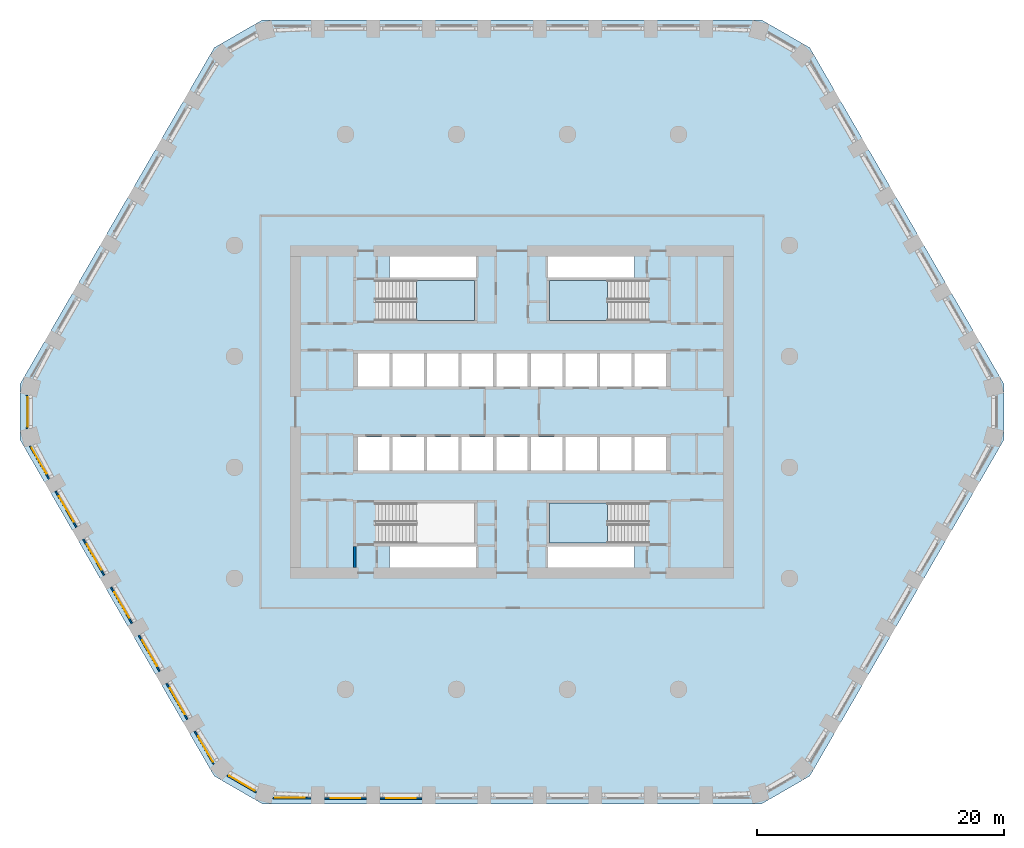
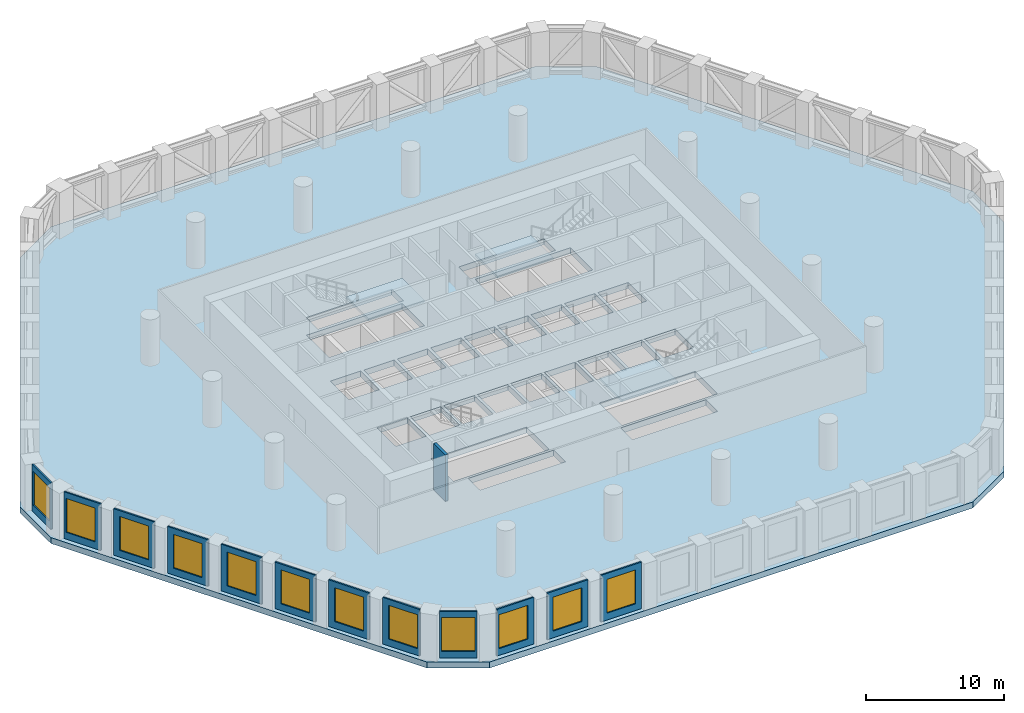
# One storey, part 3 of 18: 13 walls, 12 windows, 4 slabs, 12 openings, 3 elements without a shape of their own.
"""IFC4 building model written with IfcOpenShell, lengths in metres."""

from ifc_helpers import new_model, si_unit, direction, frame, frame_2d, origin, place, context, subcontext, project, spatial, polyline, rectangle, outline, extrude, material, layer, layer_set, type_object, element, fill, aggregate, save


model = new_model("IFC4")

# Units and contexts
model_context = context("Model", 3, precision=1e-05, world=origin(), true_north=direction((0.0, 1.0)))
body_context = subcontext(model_context, "Body", "Model", "MODEL_VIEW")
ifc_project = project(units=[si_unit("LENGTHUNIT", "METRE"), si_unit("AREAUNIT", "SQUARE_METRE"), si_unit("VOLUMEUNIT", "CUBIC_METRE"), si_unit("PLANEANGLEUNIT", "RADIAN"), si_unit("MASSUNIT", "GRAM", prefix="KILO")], contexts=[model_context])

# Site, building, storey
site_placement = place(None, origin())
site = spatial("IfcSite", under=ifc_project, at=site_placement, CompositionType="ELEMENT")
building_placement = place(site_placement, origin())
building = spatial("IfcBuilding", under=site, at=building_placement, Name="Dhurran Vertical Campus", CompositionType="ELEMENT")
storey_placement = place(building_placement, frame((0.0, 0.0, 76.800048828125)))
storey = spatial("IfcBuildingStorey", under=building, at=storey_placement, Name="L18 Plant", CompositionType="ELEMENT", Elevation=76.800048828125)

# Slab
ifc_material_1 = material(Name="Concrete C40/50", Category="concrete")
ifc_layer_1 = layer(ifc_material_1, 0.52490234375)
ifc_layer_set_1 = layer_set([ifc_layer_1], Name="Concrete C40/50")
slab_type_1 = type_object("IfcSlabType", Name="FR POST-TENSIONED FLAT SLAB 525", PredefinedType="FLOOR", material=ifc_layer_set_1)
slab_1_placement = place(storey_placement, frame((0.0, 0.0, -0.525146484375)))
element("IfcSlab", 1, at=slab_1_placement, inside=storey, type_object=slab_type_1, Name="Floor slab L18", PredefinedType="FLOOR", context=body_context, shape_type="SweptSolid", body=[
    extrude(outline(polyline([(-20.25, -31.77978515625), (20.25, -31.77978515625), (24.147216796875, -29.52978515625), (39.897216796875, -2.25), (39.897216796875, 2.25), (24.147216796875, 29.52978515625), (20.25, 31.77978515625), (-20.25, 31.77978515625), (-24.147216796875, 29.52978515625), (-39.897216796875, 2.25), (-39.897216796875, -2.25), (-24.147216796875, -29.52978515625), (-20.25, -31.77978515625)]), holes=[polyline([(-12.47509765625, 2.050048828125), (-9.925048828125, 2.050048828125), (-9.925048828125, 4.75), (-12.47509765625, 4.75), (-12.47509765625, 2.050048828125)]), polyline([(-9.675048828125, 2.050048828125), (-7.125, 2.050048828125), (-7.125, 4.75), (-9.675048828125, 4.75), (-9.675048828125, 2.050048828125)]), polyline([(-6.875, 2.050048828125), (-4.324951171875, 2.050048828125), (-4.324951171875, 4.75), (-6.875, 4.75), (-6.875, 2.050048828125)]), polyline([(-1.27490234375, 2.050048828125), (1.27490234375, 2.050048828125), (1.27490234375, 4.75), (-1.27490234375, 4.75), (-1.27490234375, 2.050048828125)]), polyline([(9.925048828125, 2.050048828125), (12.47509765625, 2.050048828125), (12.47509765625, 4.75), (9.925048828125, 4.75), (9.925048828125, 2.050048828125)]), polyline([(-1.27490234375, -4.75), (1.27490234375, -4.75), (1.27490234375, -2.050048828125), (-1.27490234375, -2.050048828125), (-1.27490234375, -4.75)]), polyline([(1.52490234375, -4.75), (4.074951171875, -4.75), (4.074951171875, -2.050048828125), (1.52490234375, -2.050048828125), (1.52490234375, -4.75)]), polyline([(4.324951171875, -4.75), (6.875, -4.75), (6.875, -2.050048828125), (4.324951171875, -2.050048828125), (4.324951171875, -4.75)]), polyline([(7.125, -4.75), (9.675048828125, -4.75), (9.675048828125, -2.050048828125), (7.125, -2.050048828125), (7.125, -4.75)]), polyline([(9.925048828125, -4.75), (12.47509765625, -4.75), (12.47509765625, -2.050048828125), (9.925048828125, -2.050048828125), (9.925048828125, -4.75)]), polyline([(-4.074951171875, 2.050048828125), (-1.52490234375, 2.050048828125), (-1.52490234375, 4.75), (-4.074951171875, 4.75), (-4.074951171875, 2.050048828125)]), polyline([(1.52490234375, 2.050048828125), (4.074951171875, 2.050048828125), (4.074951171875, 4.75), (1.52490234375, 4.75), (1.52490234375, 2.050048828125)]), polyline([(4.324951171875, 2.050048828125), (6.875, 2.050048828125), (6.875, 4.75), (4.324951171875, 4.75), (4.324951171875, 2.050048828125)]), polyline([(7.125, 2.050048828125), (9.675048828125, 2.050048828125), (9.675048828125, 4.75), (7.125, 4.75), (7.125, 2.050048828125)]), polyline([(-12.47509765625, -4.75), (-9.925048828125, -4.75), (-9.925048828125, -2.050048828125), (-12.47509765625, -2.050048828125), (-12.47509765625, -4.75)]), polyline([(-9.675048828125, -4.75), (-7.125, -4.75), (-7.125, -2.050048828125), (-9.675048828125, -2.050048828125), (-9.675048828125, -4.75)]), polyline([(-6.875, -4.75), (-4.324951171875, -4.75), (-4.324951171875, -2.050048828125), (-6.875, -2.050048828125), (-6.875, -4.75)]), polyline([(-4.074951171875, -4.75), (-1.52490234375, -4.75), (-1.52490234375, -2.050048828125), (-4.074951171875, -2.050048828125), (-4.074951171875, -4.75)]), polyline([(-11.050048828125, 7.39990234375), (-3.050048828125, 7.39990234375), (-3.050048828125, 10.64990234375), (-11.050048828125, 10.64990234375), (-11.050048828125, 7.39990234375)]), polyline([(3.050048828125, 7.39990234375), (11.050048828125, 7.39990234375), (11.050048828125, 10.64990234375), (3.050048828125, 10.64990234375), (3.050048828125, 7.39990234375)]), polyline([(-11.050048828125, -10.64990234375), (-3.050048828125, -10.64990234375), (-3.050048828125, -7.39990234375), (-11.050048828125, -7.39990234375), (-11.050048828125, -10.64990234375)]), polyline([(3.050048828125, -10.64990234375), (11.050048828125, -10.64990234375), (11.050048828125, -7.39990234375), (3.050048828125, -7.39990234375), (3.050048828125, -10.64990234375)]), polyline([(-9.949951171875, 10.89990234375), (-9.949951171875, 12.60009765625), (-2.800048828125, 12.60009765625), (-2.800048828125, 10.89990234375), (-9.949951171875, 10.89990234375)]), polyline([(9.949951171875, 12.60009765625), (9.949951171875, 10.89990234375), (2.800048828125, 10.89990234375), (2.800048828125, 12.60009765625), (9.949951171875, 12.60009765625)]), polyline([(-9.949951171875, -12.60009765625), (-9.949951171875, -10.89990234375), (-2.800048828125, -10.89990234375), (-2.800048828125, -12.60009765625), (-9.949951171875, -12.60009765625)]), polyline([(9.949951171875, -10.89990234375), (9.949951171875, -12.60009765625), (2.800048828125, -12.60009765625), (2.800048828125, -10.89990234375), (9.949951171875, -10.89990234375)])]), origin(), (0.0, 0.0, 1.0), 0.525146484375),
])

# Stair, slab
ifc_material_2 = material(Name="Concrete C40/50", Category="concrete")
stair_type = type_object("IfcStairType", Name="co-ST-CORE", PredefinedType="HALF_TURN_STAIR", material=ifc_material_2)
stair_1_placement = place(storey_placement, origin())
stair_1 = element("IfcStair", 2, at=stair_1_placement, inside=storey, type_object=stair_type, Name="L18 Plant Protected exit stair ST1", PredefinedType="HALF_TURN_STAIR")
ifc_material_3 = material(Name="Concrete C40/50", Category="concrete")
ifc_layer_2 = layer(ifc_material_3, 0.199951171875)
ifc_layer_set_2 = layer_set([ifc_layer_2], Name="Concrete C40/50")
slab_type_2 = type_object("IfcSlabType", Name="co-SL-LANDING", PredefinedType="LANDING", material=ifc_layer_set_2)
slab_2_placement = place(storey_placement, frame((0.0, 0.0, 2.050048828125)))
slab_2 = element("IfcSlab", 3, at=slab_2_placement, type_object=slab_type_2, Name="ST1 landing 1", PredefinedType="LANDING", context=body_context, shape_type="SweptSolid", body=[
    extrude(outline(polyline([(-7.739990234375, 7.39990234375), (-3.050048828125, 7.39990234375), (-3.050048828125, 10.64990234375), (-7.739990234375, 10.64990234375), (-7.739990234375, 7.39990234375)])), origin(), (0.0, 0.0, 1.0), 0.199951171875),
])
aggregate(stair_1, [slab_2])

stair_2_placement = place(storey_placement, origin())
stair_2 = element("IfcStair", 4, at=stair_2_placement, inside=storey, type_object=stair_type, Name="L18 Plant Protected exit stair ST2", PredefinedType="HALF_TURN_STAIR")
slab_3_placement = place(storey_placement, frame((0.0, 0.0, 2.050048828125)))
slab_3 = element("IfcSlab", 5, at=slab_3_placement, type_object=slab_type_2, Name="ST2 landing 1", PredefinedType="LANDING", context=body_context, shape_type="SweptSolid", body=[
    extrude(outline(polyline([(7.739990234375, 10.64990234375), (3.050048828125, 10.64990234375), (3.050048828125, 7.39990234375), (7.739990234375, 7.39990234375), (7.739990234375, 10.64990234375)])), origin(), (0.0, 0.0, 1.0), 0.199951171875),
])
aggregate(stair_2, [slab_3])

stair_3_placement = place(storey_placement, origin())
stair_3 = element("IfcStair", 6, at=stair_3_placement, inside=storey, type_object=stair_type, Name="L18 Plant Protected exit stair ST4", PredefinedType="HALF_TURN_STAIR")
slab_4_placement = place(storey_placement, frame((0.0, 0.0, 2.050048828125)))
slab_4 = element("IfcSlab", 7, at=slab_4_placement, type_object=slab_type_2, Name="ST4 landing 1", PredefinedType="LANDING", context=body_context, shape_type="SweptSolid", body=[
    extrude(outline(polyline([(7.739990234375, -7.39990234375), (3.050048828125, -7.39990234375), (3.050048828125, -10.64990234375), (7.739990234375, -10.64990234375), (7.739990234375, -7.39990234375)])), origin(), (0.0, 0.0, 1.0), 0.199951171875),
])
aggregate(stair_3, [slab_4])

# Wall, opening, window
ifc_material_4 = material(Name="Precast concrete C50/60", Category="concrete")
ifc_layer_3 = layer(ifc_material_4, 0.1201171875)
ifc_layer_set_3 = layer_set([ifc_layer_3], Name="Precast concrete C50/60")
wall_type_1 = type_object("IfcWallType", Name="Precast louvre-bay panel 120", PredefinedType="SOLIDWALL", material=ifc_layer_set_3)
wall_1_placement = place(storey_placement, frame((-19.3916015625, -31.34130859375, 0.0), z_axis=(0.0, 0.0, 1.0), x_axis=(1.0, 0.0, 0.0)))
wall_1 = element("IfcWall", 8, at=wall_1_placement, inside=storey, type_object=wall_type_1, Name="EW4 L18.00", PredefinedType="SOLIDWALL", context=body_context, shape_type="SweptSolid", body=[
    extrude(rectangle(XDim=3.091064453125, YDim=0.1201171875, at=frame_2d((1.54541015625, 0.0))), origin(), (0.0, 0.0, 1.0), 4.125),
])
opening_1_placement = place(wall_1_placement, frame((0.19140625, 0.0, 0.60009765625)))
opening_1 = element("IfcOpeningElement", 9, at=opening_1_placement, cuts=wall_1, Name="Opening WT4", PredefinedType="OPENING", context=body_context, shape_type="SweptSolid", body=[
    extrude(rectangle(XDim=2.39990234375, YDim=3.0, at=frame_2d((1.199951171875, 1.5))), frame((0.0, 0.070068359375, 0.0), z_axis=(0.0, -1.0, 0.0), x_axis=(1.0, 0.0, 0.0)), (0.0, 0.0, 1.0), 0.14013671875),
])
ifc_material_5 = material(Name="Aluminium louvre", Category="aluminium")
window_type = type_object("IfcWindowType", Name="Louvred plant vent 2400 x 3000", PartitioningType="SINGLE_PANEL", PredefinedType="WINDOW", material=ifc_material_5)
window_1_placement = place(opening_1_placement, origin())
window_1 = element("IfcWindow", 10, at=window_1_placement, inside=storey, type_object=window_type, Name="WT4 L18.00", OverallHeight=3.0, OverallWidth=2.39990234375, PartitioningType="SINGLE_PANEL", PredefinedType="WINDOW", context=body_context, shape_type="SweptSolid", body=[
    extrude(rectangle(XDim=2.39990234375, YDim=3.0, at=frame_2d((1.199951171875, 1.5))), frame((0.0, 0.06005859375, 0.0), z_axis=(0.0, -1.0, 0.0), x_axis=(1.0, 0.0, 0.0)), (0.0, 0.0, 1.0), 0.02001953125),
])
fill(opening_1, window_1)

wall_2_placement = place(storey_placement, frame((-15.199462890625, -31.37890625, 0.0), z_axis=(0.0, 0.0, 1.0), x_axis=(1.0, 0.0, 0.0)))
wall_2 = element("IfcWall", 11, at=wall_2_placement, inside=storey, type_object=wall_type_1, Name="EW4 L18.01", PredefinedType="SOLIDWALL", context=body_context, shape_type="SweptSolid", body=[
    extrude(rectangle(XDim=3.39892578125, YDim=0.1201171875, at=frame_2d((1.699462890625, 0.0))), origin(), (0.0, 0.0, 1.0), 4.125),
])
opening_2_placement = place(wall_2_placement, frame((0.49951171875, 0.0, 0.60009765625)))
opening_2 = element("IfcOpeningElement", 12, at=opening_2_placement, cuts=wall_2, Name="Opening WT4", PredefinedType="OPENING", context=body_context, shape_type="SweptSolid", body=[
    extrude(rectangle(XDim=2.39990234375, YDim=3.0, at=frame_2d((1.199951171875, 1.5))), frame((0.0, 0.070068359375, 0.0), z_axis=(0.0, -1.0, 0.0), x_axis=(1.0, 0.0, 0.0)), (0.0, 0.0, 1.0), 0.14013671875),
])
window_2_placement = place(opening_2_placement, origin())
window_2 = element("IfcWindow", 13, at=window_2_placement, inside=storey, type_object=window_type, Name="WT4 L18.01", OverallHeight=3.0, OverallWidth=2.39990234375, PartitioningType="SINGLE_PANEL", PredefinedType="WINDOW", context=body_context, shape_type="SweptSolid", body=[
    extrude(rectangle(XDim=2.39990234375, YDim=3.0, at=frame_2d((1.199951171875, 1.5))), frame((0.0, 0.06005859375, 0.0), z_axis=(0.0, -1.0, 0.0), x_axis=(1.0, 0.0, 0.0)), (0.0, 0.0, 1.0), 0.02001953125),
])
fill(opening_2, window_2)

wall_3_placement = place(storey_placement, frame((-10.699462890625, -31.37890625, 0.0), z_axis=(0.0, 0.0, 1.0), x_axis=(1.0, 0.0, 0.0)))
wall_3 = element("IfcWall", 14, at=wall_3_placement, inside=storey, type_object=wall_type_1, Name="EW4 L18.02", PredefinedType="SOLIDWALL", context=body_context, shape_type="SweptSolid", body=[
    extrude(rectangle(XDim=3.39892578125, YDim=0.1201171875, at=frame_2d((1.699462890625, 0.0))), origin(), (0.0, 0.0, 1.0), 4.125),
])
opening_3_placement = place(wall_3_placement, frame((0.49951171875, 0.0, 0.60009765625)))
opening_3 = element("IfcOpeningElement", 15, at=opening_3_placement, cuts=wall_3, Name="Opening WT4", PredefinedType="OPENING", context=body_context, shape_type="SweptSolid", body=[
    extrude(rectangle(XDim=2.39990234375, YDim=3.0, at=frame_2d((1.199951171875, 1.5))), frame((0.0, 0.070068359375, 0.0), z_axis=(0.0, -1.0, 0.0), x_axis=(1.0, 0.0, 0.0)), (0.0, 0.0, 1.0), 0.14013671875),
])
window_3_placement = place(opening_3_placement, origin())
window_3 = element("IfcWindow", 16, at=window_3_placement, inside=storey, type_object=window_type, Name="WT4 L18.02", OverallHeight=3.0, OverallWidth=2.39990234375, PartitioningType="SINGLE_PANEL", PredefinedType="WINDOW", context=body_context, shape_type="SweptSolid", body=[
    extrude(rectangle(XDim=2.39990234375, YDim=3.0, at=frame_2d((1.199951171875, 1.5))), frame((0.0, 0.06005859375, 0.0), z_axis=(0.0, -1.0, 0.0), x_axis=(1.0, 0.0, 0.0)), (0.0, 0.0, 1.0), 0.02001953125),
])
fill(opening_3, window_3)

wall_4_placement = place(storey_placement, frame((-39.3388671875, 1.359375, 0.0), z_axis=(0.0, 0.0, 1.0), x_axis=(0.0, -1.0, 0.0)))
wall_4 = element("IfcWall", 17, at=wall_4_placement, inside=storey, type_object=wall_type_1, Name="EW4 L18.43", PredefinedType="SOLIDWALL", context=body_context, shape_type="SweptSolid", body=[
    extrude(rectangle(XDim=2.71875, YDim=0.1201171875, at=frame_2d((1.359375, 0.0))), origin(), (0.0, 0.0, 1.0), 4.125),
])
opening_4_placement = place(wall_4_placement, frame((0.159423828125, 0.0, 0.60009765625)))
opening_4 = element("IfcOpeningElement", 18, at=opening_4_placement, cuts=wall_4, Name="Opening WT4", PredefinedType="OPENING", context=body_context, shape_type="SweptSolid", body=[
    extrude(rectangle(XDim=2.39990234375, YDim=3.0, at=frame_2d((1.199951171875, 1.5))), frame((0.0, 0.070068359375, 0.0), z_axis=(0.0, -1.0, 0.0), x_axis=(1.0, 0.0, 0.0)), (0.0, 0.0, 1.0), 0.14013671875),
])
window_4_placement = place(opening_4_placement, origin())
window_4 = element("IfcWindow", 19, at=window_4_placement, inside=storey, type_object=window_type, Name="WT4 L18.43", OverallHeight=3.0, OverallWidth=2.39990234375, PartitioningType="SINGLE_PANEL", PredefinedType="WINDOW", context=body_context, shape_type="SweptSolid", body=[
    extrude(rectangle(XDim=2.39990234375, YDim=3.0, at=frame_2d((1.199951171875, 1.5))), frame((0.0, 0.06005859375, 0.0), z_axis=(0.0, -1.0, 0.0), x_axis=(1.0, 0.0, 0.0)), (0.0, 0.0, 1.0), 0.02001953125),
])
fill(opening_4, window_4)

wall_5_placement = place(storey_placement, frame((-39.088134765625, -2.7744140625, 0.0), z_axis=(0.0, 0.0, 1.0), x_axis=(0.499995950774, -0.866027741594, 0.0)))
wall_5 = element("IfcWall", 20, at=wall_5_placement, inside=storey, type_object=wall_type_1, Name="EW4 L18.44", PredefinedType="SOLIDWALL", context=body_context, shape_type="SweptSolid", body=[
    extrude(rectangle(XDim=3.0908203125, YDim=0.1201171875, at=frame_2d((1.54541015625, 0.0))), origin(), (0.0, 0.0, 1.0), 4.125),
])
opening_5_placement = place(wall_5_placement, frame((0.19140625, 0.0, 0.60009765625)))
opening_5 = element("IfcOpeningElement", 21, at=opening_5_placement, cuts=wall_5, Name="Opening WT4", PredefinedType="OPENING", context=body_context, shape_type="SweptSolid", body=[
    extrude(rectangle(XDim=2.39990234375, YDim=3.0, at=frame_2d((1.199951171875, 1.5))), frame((0.0, 0.070068359375, 0.0), z_axis=(0.0, -1.0, 0.0), x_axis=(1.0, 0.0, 0.0)), (0.0, 0.0, 1.0), 0.14013671875),
])
window_5_placement = place(opening_5_placement, origin())
window_5 = element("IfcWindow", 22, at=window_5_placement, inside=storey, type_object=window_type, Name="WT4 L18.44", OverallHeight=3.0, OverallWidth=2.39990234375, PartitioningType="SINGLE_PANEL", PredefinedType="WINDOW", context=body_context, shape_type="SweptSolid", body=[
    extrude(rectangle(XDim=2.39990234375, YDim=3.0, at=frame_2d((1.199951171875, 1.5))), frame((0.0, 0.06005859375, 0.0), z_axis=(0.0, -1.0, 0.0), x_axis=(1.0, 0.0, 0.0)), (0.0, 0.0, 1.0), 0.02001953125),
])
fill(opening_5, window_5)

wall_6_placement = place(storey_placement, frame((-37.024658203125, -6.42333984375, 0.0), z_axis=(0.0, 0.0, 1.0), x_axis=(0.499993955907, -0.866028893315, 0.0)))
wall_6 = element("IfcWall", 23, at=wall_6_placement, inside=storey, type_object=wall_type_1, Name="EW4 L18.45", PredefinedType="SOLIDWALL", context=body_context, shape_type="SweptSolid", body=[
    extrude(rectangle(XDim=3.39892578125, YDim=0.1201171875, at=frame_2d((1.699462890625, 0.0))), origin(), (0.0, 0.0, 1.0), 4.125),
])
opening_6_placement = place(wall_6_placement, frame((0.49951171875, 0.0, 0.60009765625)))
opening_6 = element("IfcOpeningElement", 24, at=opening_6_placement, cuts=wall_6, Name="Opening WT4", PredefinedType="OPENING", context=body_context, shape_type="SweptSolid", body=[
    extrude(rectangle(XDim=2.39990234375, YDim=3.0, at=frame_2d((1.199951171875, 1.5))), frame((0.0, 0.070068359375, 0.0), z_axis=(0.0, -1.0, 0.0), x_axis=(1.0, 0.0, 0.0)), (0.0, 0.0, 1.0), 0.14013671875),
])
window_6_placement = place(opening_6_placement, origin())
window_6 = element("IfcWindow", 25, at=window_6_placement, inside=storey, type_object=window_type, Name="WT4 L18.45", OverallHeight=3.0, OverallWidth=2.39990234375, PartitioningType="SINGLE_PANEL", PredefinedType="WINDOW", context=body_context, shape_type="SweptSolid", body=[
    extrude(rectangle(XDim=2.39990234375, YDim=3.0, at=frame_2d((1.199951171875, 1.5))), frame((0.0, 0.06005859375, 0.0), z_axis=(0.0, -1.0, 0.0), x_axis=(1.0, 0.0, 0.0)), (0.0, 0.0, 1.0), 0.02001953125),
])
fill(opening_6, window_6)

wall_7_placement = place(storey_placement, frame((-34.774658203125, -10.320556640625, 0.0), z_axis=(0.0, 0.0, 1.0), x_axis=(0.499993955907, -0.866028893315, 0.0)))
wall_7 = element("IfcWall", 26, at=wall_7_placement, inside=storey, type_object=wall_type_1, Name="EW4 L18.46", PredefinedType="SOLIDWALL", context=body_context, shape_type="SweptSolid", body=[
    extrude(rectangle(XDim=3.39892578125, YDim=0.1201171875, at=frame_2d((1.699462890625, 0.0))), origin(), (0.0, 0.0, 1.0), 4.125),
])
opening_7_placement = place(wall_7_placement, frame((0.49951171875, 0.0, 0.60009765625)))
opening_7 = element("IfcOpeningElement", 27, at=opening_7_placement, cuts=wall_7, Name="Opening WT4", PredefinedType="OPENING", context=body_context, shape_type="SweptSolid", body=[
    extrude(rectangle(XDim=2.39990234375, YDim=3.0, at=frame_2d((1.199951171875, 1.5))), frame((0.0, 0.070068359375, 0.0), z_axis=(0.0, -1.0, 0.0), x_axis=(1.0, 0.0, 0.0)), (0.0, 0.0, 1.0), 0.14013671875),
])
window_7_placement = place(opening_7_placement, origin())
window_7 = element("IfcWindow", 28, at=window_7_placement, inside=storey, type_object=window_type, Name="WT4 L18.46", OverallHeight=3.0, OverallWidth=2.39990234375, PartitioningType="SINGLE_PANEL", PredefinedType="WINDOW", context=body_context, shape_type="SweptSolid", body=[
    extrude(rectangle(XDim=2.39990234375, YDim=3.0, at=frame_2d((1.199951171875, 1.5))), frame((0.0, 0.06005859375, 0.0), z_axis=(0.0, -1.0, 0.0), x_axis=(1.0, 0.0, 0.0)), (0.0, 0.0, 1.0), 0.02001953125),
])
fill(opening_7, window_7)

wall_8_placement = place(storey_placement, frame((-32.524658203125, -14.217529296875, 0.0), z_axis=(0.0, 0.0, 1.0), x_axis=(0.499993955907, -0.866028893315, 0.0)))
wall_8 = element("IfcWall", 29, at=wall_8_placement, inside=storey, type_object=wall_type_1, Name="EW4 L18.47", PredefinedType="SOLIDWALL", context=body_context, shape_type="SweptSolid", body=[
    extrude(rectangle(XDim=3.39892578125, YDim=0.1201171875, at=frame_2d((1.699462890625, 0.0))), origin(), (0.0, 0.0, 1.0), 4.125),
])
opening_8_placement = place(wall_8_placement, frame((0.49951171875, 0.0, 0.60009765625)))
opening_8 = element("IfcOpeningElement", 30, at=opening_8_placement, cuts=wall_8, Name="Opening WT4", PredefinedType="OPENING", context=body_context, shape_type="SweptSolid", body=[
    extrude(rectangle(XDim=2.39990234375, YDim=3.0, at=frame_2d((1.199951171875, 1.5))), frame((0.0, 0.070068359375, 0.0), z_axis=(0.0, -1.0, 0.0), x_axis=(1.0, 0.0, 0.0)), (0.0, 0.0, 1.0), 0.14013671875),
])
window_8_placement = place(opening_8_placement, origin())
window_8 = element("IfcWindow", 31, at=window_8_placement, inside=storey, type_object=window_type, Name="WT4 L18.47", OverallHeight=3.0, OverallWidth=2.39990234375, PartitioningType="SINGLE_PANEL", PredefinedType="WINDOW", context=body_context, shape_type="SweptSolid", body=[
    extrude(rectangle(XDim=2.39990234375, YDim=3.0, at=frame_2d((1.199951171875, 1.5))), frame((0.0, 0.06005859375, 0.0), z_axis=(0.0, -1.0, 0.0), x_axis=(1.0, 0.0, 0.0)), (0.0, 0.0, 1.0), 0.02001953125),
])
fill(opening_8, window_8)

wall_9_placement = place(storey_placement, frame((-30.274658203125, -18.11474609375, 0.0), z_axis=(0.0, 0.0, 1.0), x_axis=(0.499993955907, -0.866028893315, 0.0)))
wall_9 = element("IfcWall", 32, at=wall_9_placement, inside=storey, type_object=wall_type_1, Name="EW4 L18.48", PredefinedType="SOLIDWALL", context=body_context, shape_type="SweptSolid", body=[
    extrude(rectangle(XDim=3.39892578125, YDim=0.1201171875, at=frame_2d((1.699462890625, 0.0))), origin(), (0.0, 0.0, 1.0), 4.125),
])
opening_9_placement = place(wall_9_placement, frame((0.49951171875, 0.0, 0.60009765625)))
opening_9 = element("IfcOpeningElement", 33, at=opening_9_placement, cuts=wall_9, Name="Opening WT4", PredefinedType="OPENING", context=body_context, shape_type="SweptSolid", body=[
    extrude(rectangle(XDim=2.39990234375, YDim=3.0, at=frame_2d((1.199951171875, 1.5))), frame((0.0, 0.070068359375, 0.0), z_axis=(0.0, -1.0, 0.0), x_axis=(1.0, 0.0, 0.0)), (0.0, 0.0, 1.0), 0.14013671875),
])
window_9_placement = place(opening_9_placement, origin())
window_9 = element("IfcWindow", 34, at=window_9_placement, inside=storey, type_object=window_type, Name="WT4 L18.48", OverallHeight=3.0, OverallWidth=2.39990234375, PartitioningType="SINGLE_PANEL", PredefinedType="WINDOW", context=body_context, shape_type="SweptSolid", body=[
    extrude(rectangle(XDim=2.39990234375, YDim=3.0, at=frame_2d((1.199951171875, 1.5))), frame((0.0, 0.06005859375, 0.0), z_axis=(0.0, -1.0, 0.0), x_axis=(1.0, 0.0, 0.0)), (0.0, 0.0, 1.0), 0.02001953125),
])
fill(opening_9, window_9)

wall_10_placement = place(storey_placement, frame((-28.024658203125, -22.011962890625, 0.0), z_axis=(0.0, 0.0, 1.0), x_axis=(0.499993955907, -0.866028893315, 0.0)))
wall_10 = element("IfcWall", 35, at=wall_10_placement, inside=storey, type_object=wall_type_1, Name="EW4 L18.49", PredefinedType="SOLIDWALL", context=body_context, shape_type="SweptSolid", body=[
    extrude(rectangle(XDim=3.39892578125, YDim=0.1201171875, at=frame_2d((1.699462890625, 0.0))), origin(), (0.0, 0.0, 1.0), 4.125),
])
opening_10_placement = place(wall_10_placement, frame((0.49951171875, 0.0, 0.60009765625)))
opening_10 = element("IfcOpeningElement", 36, at=opening_10_placement, cuts=wall_10, Name="Opening WT4", PredefinedType="OPENING", context=body_context, shape_type="SweptSolid", body=[
    extrude(rectangle(XDim=2.39990234375, YDim=3.0, at=frame_2d((1.199951171875, 1.5))), frame((0.0, 0.070068359375, 0.0), z_axis=(0.0, -1.0, 0.0), x_axis=(1.0, 0.0, 0.0)), (0.0, 0.0, 1.0), 0.14013671875),
])
window_10_placement = place(opening_10_placement, origin())
window_10 = element("IfcWindow", 37, at=window_10_placement, inside=storey, type_object=window_type, Name="WT4 L18.49", OverallHeight=3.0, OverallWidth=2.39990234375, PartitioningType="SINGLE_PANEL", PredefinedType="WINDOW", context=body_context, shape_type="SweptSolid", body=[
    extrude(rectangle(XDim=2.39990234375, YDim=3.0, at=frame_2d((1.199951171875, 1.5))), frame((0.0, 0.06005859375, 0.0), z_axis=(0.0, -1.0, 0.0), x_axis=(1.0, 0.0, 0.0)), (0.0, 0.0, 1.0), 0.02001953125),
])
fill(opening_10, window_10)

wall_11_placement = place(storey_placement, frame((-25.7421875, -25.89013671875, 0.0), z_axis=(0.0, 0.0, 1.0), x_axis=(0.49996174997, -0.866047486323, 0.0)))
wall_11 = element("IfcWall", 38, at=wall_11_placement, inside=storey, type_object=wall_type_1, Name="EW4 L18.50", PredefinedType="SOLIDWALL", context=body_context, shape_type="SweptSolid", body=[
    extrude(rectangle(XDim=3.091064453125, YDim=0.1201171875, at=frame_2d((1.54541015625, 0.0))), origin(), (0.0, 0.0, 1.0), 4.125),
])
opening_11_placement = place(wall_11_placement, frame((0.49951171875, 0.0, 0.60009765625)))
opening_11 = element("IfcOpeningElement", 39, at=opening_11_placement, cuts=wall_11, Name="Opening WT4", PredefinedType="OPENING", context=body_context, shape_type="SweptSolid", body=[
    extrude(rectangle(XDim=2.39990234375, YDim=3.0, at=frame_2d((1.199951171875, 1.5))), frame((0.0, 0.070068359375, 0.0), z_axis=(0.0, -1.0, 0.0), x_axis=(1.0, 0.0, 0.0)), (0.0, 0.0, 1.0), 0.14013671875),
])
window_11_placement = place(opening_11_placement, origin())
window_11 = element("IfcWindow", 40, at=window_11_placement, inside=storey, type_object=window_type, Name="WT4 L18.50", OverallHeight=3.0, OverallWidth=2.39990234375, PartitioningType="SINGLE_PANEL", PredefinedType="WINDOW", context=body_context, shape_type="SweptSolid", body=[
    extrude(rectangle(XDim=2.39990234375, YDim=3.0, at=frame_2d((1.199951171875, 1.5))), frame((0.0, 0.06005859375, 0.0), z_axis=(0.0, -1.0, 0.0), x_axis=(1.0, 0.0, 0.0)), (0.0, 0.0, 1.0), 0.02001953125),
])
fill(opening_11, window_11)

wall_12_placement = place(storey_placement, frame((-23.0966796875, -29.49169921875, 0.0), z_axis=(0.0, 0.0, 1.0), x_axis=(0.866024081565, -0.500002290144, 0.0)))
wall_12 = element("IfcWall", 41, at=wall_12_placement, inside=storey, type_object=wall_type_1, Name="EW4 L18.51", PredefinedType="SOLIDWALL", context=body_context, shape_type="SweptSolid", body=[
    extrude(rectangle(XDim=2.71875, YDim=0.1201171875, at=frame_2d((1.359375, 0.0))), origin(), (0.0, 0.0, 1.0), 4.125),
])
opening_12_placement = place(wall_12_placement, frame((0.159423828125, 0.0, 0.60009765625)))
opening_12 = element("IfcOpeningElement", 42, at=opening_12_placement, cuts=wall_12, Name="Opening WT4", PredefinedType="OPENING", context=body_context, shape_type="SweptSolid", body=[
    extrude(rectangle(XDim=2.39990234375, YDim=3.0, at=frame_2d((1.199951171875, 1.5))), frame((0.0, 0.070068359375, 0.0), z_axis=(0.0, -1.0, 0.0), x_axis=(1.0, 0.0, 0.0)), (0.0, 0.0, 1.0), 0.14013671875),
])
window_12_placement = place(opening_12_placement, origin())
window_12 = element("IfcWindow", 43, at=window_12_placement, inside=storey, type_object=window_type, Name="WT4 L18.51", OverallHeight=3.0, OverallWidth=2.39990234375, PartitioningType="SINGLE_PANEL", PredefinedType="WINDOW", context=body_context, shape_type="SweptSolid", body=[
    extrude(rectangle(XDim=2.39990234375, YDim=3.0, at=frame_2d((1.199951171875, 1.5))), frame((0.0, 0.06005859375, 0.0), z_axis=(0.0, -1.0, 0.0), x_axis=(1.0, 0.0, 0.0)), (0.0, 0.0, 1.0), 0.02001953125),
])
fill(opening_12, window_12)

# Wall
ifc_material_6 = material(Name="Fire-rated masonry blockwork", Category="masonry")
ifc_layer_4 = layer(ifc_material_6, 0.199951171875)
ifc_layer_set_4 = layer_set([ifc_layer_4], Name="Fire-rated masonry blockwork")
wall_type_2 = type_object("IfcWallType", Name="co-FIRE-PARTITION-200", PredefinedType="PARTITIONING", material=ifc_layer_set_4)
wall_13_placement = place(storey_placement, frame((-12.75, -12.60009765625, 0.0), z_axis=(0.0, 0.0, 1.0), x_axis=(0.0, 1.0, 0.0)))
element("IfcWall", 44, at=wall_13_placement, inside=storey, type_object=wall_type_2, Name="Core partition pass-ST3-o L18", PredefinedType="PARTITIONING", context=body_context, shape_type="SweptSolid", body=[
    extrude(rectangle(XDim=1.7001953125, YDim=0.199951171875, at=frame_2d((0.85009765625, 0.0))), origin(), (0.0, 0.0, 1.0), 4.125),
])

save(model, "model.ifc")
